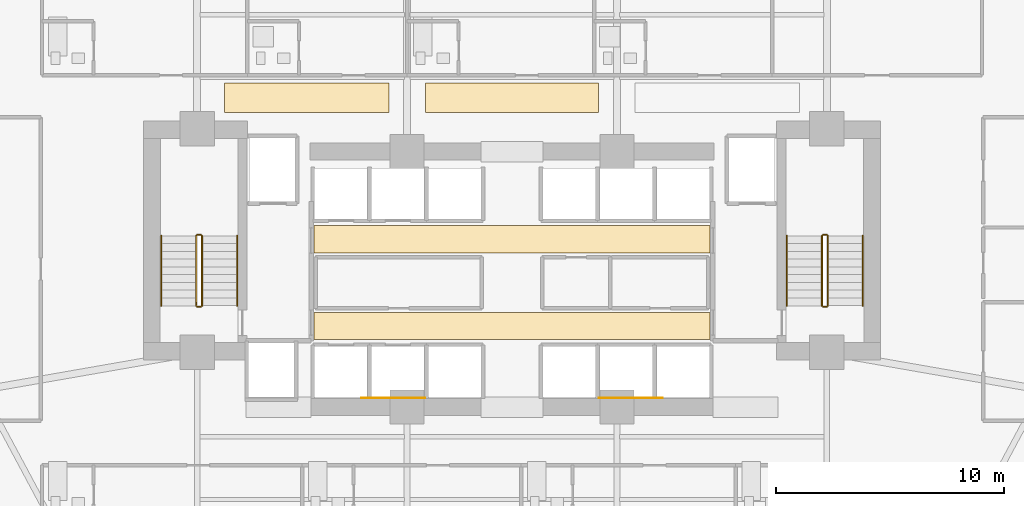
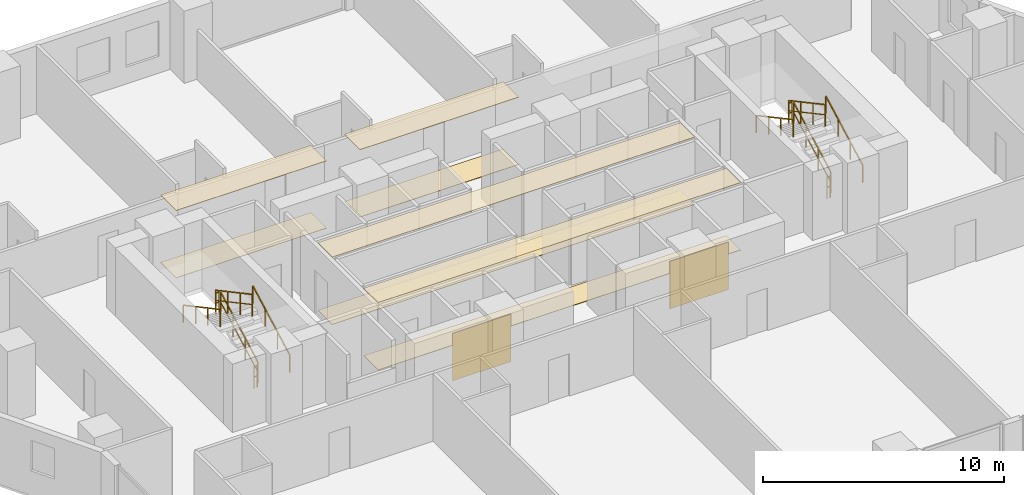
# One storey, part 26 of 28: 12 railings, 10 coverings.
"""IFC4 building model written with IfcOpenShell, lengths in metres."""

from ifc_helpers import new_model, si_unit, direction, frame, origin, origin_2d, place, context, subcontext, project, spatial, polyline, rectangle, outline, extrude, material, layer, layer_set, type_object, element, save


model = new_model("IFC4")

# Units and contexts
model_context = context("Model", 3, precision=1e-05, world=origin(), true_north=direction((0.0, 1.0)))
body_context = subcontext(model_context, "Body", "Model", "MODEL_VIEW")
ifc_project = project(units=[si_unit("LENGTHUNIT", "METRE"), si_unit("AREAUNIT", "SQUARE_METRE"), si_unit("VOLUMEUNIT", "CUBIC_METRE"), si_unit("PLANEANGLEUNIT", "RADIAN"), si_unit("MASSUNIT", "GRAM", prefix="KILO")], contexts=[model_context])

# Site, building, storey
site_placement = place(None, origin())
site = spatial("IfcSite", under=ifc_project, at=site_placement, CompositionType="ELEMENT")
building_placement = place(site_placement, origin())
building = spatial("IfcBuilding", under=site, at=building_placement, Name="Zuhayl Quay Hotel", CompositionType="ELEMENT")
storey_placement = place(building_placement, frame((0.0, 0.0, 121.199951171875)))
storey = spatial("IfcBuildingStorey", under=building, at=storey_placement, Name="L30", CompositionType="ELEMENT", Elevation=121.199951171875)

# Coverings
ifc_material_1 = material(Name="Acoustic Mineral-Fibre Gypsum Board")
ifc_layer_1 = layer(ifc_material_1, 0.02490234375, Name="Acoustic Mineral-Fibre Gypsum Board")
ifc_layer_set_1 = layer_set([ifc_layer_1], Name="Acoustic Mineral-Fibre Gypsum Board")
covering_type_1 = type_object("IfcCoveringType", Name="CV_CEIL_ACOUSTIC", PredefinedType="CEILING", material=ifc_layer_set_1)
covering_1_placement = place(storey_placement, frame((0.0, 0.0, 3.405029296875)))
element("IfcCovering", 1, at=covering_1_placement, inside=storey, type_object=covering_type_1, Name="L30 Suspended Acoustic Lobby Ceiling S", PredefinedType="CEILING", context=body_context, shape_type="SweptSolid", body=[
    extrude(outline(polyline([(-8.679931640625, 5.10009765625), (8.679931640625, 5.10009765625), (8.679931640625, 6.300048828125), (-8.679931640625, 6.300048828125), (-8.679931640625, 5.10009765625)])), origin(), (0.0, 0.0, 1.0), 0.02490234375),
])
covering_2_placement = place(storey_placement, frame((0.0, 0.0, 3.405029296875)))
element("IfcCovering", 2, at=covering_2_placement, inside=storey, type_object=covering_type_1, Name="L30 Suspended Acoustic Lobby Ceiling N", PredefinedType="CEILING", context=body_context, shape_type="SweptSolid", body=[
    extrude(outline(polyline([(-8.679931640625, 8.89990234375), (8.679931640625, 8.89990234375), (8.679931640625, 10.10009765625), (-8.679931640625, 10.10009765625), (-8.679931640625, 8.89990234375)])), origin(), (0.0, 0.0, 1.0), 0.02490234375),
])
covering_3_placement = place(storey_placement, frame((0.0, 0.0, 3.405029296875)))
element("IfcCovering", 3, at=covering_3_placement, inside=storey, type_object=covering_type_1, Name="L30 Guest Corridor Acoustic Ceiling CW", PredefinedType="CEILING", context=body_context, shape_type="SweptSolid", body=[
    extrude(outline(polyline([(-12.60009765625, 15.050048828125), (-5.39990234375, 15.050048828125), (-5.39990234375, 16.35009765625), (-12.60009765625, 16.35009765625), (-12.60009765625, 15.050048828125)])), origin(), (0.0, 0.0, 1.0), 0.02490234375),
])
covering_4_placement = place(storey_placement, frame((0.0, 0.0, 3.405029296875)))
element("IfcCovering", 4, at=covering_4_placement, inside=storey, type_object=covering_type_1, Name="L30 Guest Corridor Acoustic Ceiling CC", PredefinedType="CEILING", context=body_context, shape_type="SweptSolid", body=[
    extrude(outline(polyline([(-3.800048828125, 15.050048828125), (3.800048828125, 15.050048828125), (3.800048828125, 16.35009765625), (-3.800048828125, 16.35009765625), (-3.800048828125, 15.050048828125)])), origin(), (0.0, 0.0, 1.0), 0.02490234375),
])
ifc_material_2 = material(Name="Polished Limestone Terrazzo", Category="masonry")
ifc_layer_2 = layer(ifc_material_2, 0.02001953125, Name="Polished Limestone Terrazzo", Category="masonry")
ifc_layer_set_2 = layer_set([ifc_layer_2], Name="Polished Limestone Terrazzo")
covering_type_2 = type_object("IfcCoveringType", Name="CV_FLOOR_TERRAZZO", PredefinedType="FLOORING", material=ifc_layer_set_2)
covering_5_placement = place(storey_placement, origin())
element("IfcCovering", 5, at=covering_5_placement, inside=storey, type_object=covering_type_2, Name="L30 Honed Limestone Terrazzo Lobby Flooring S", PredefinedType="FLOORING", context=body_context, shape_type="SweptSolid", body=[
    extrude(outline(polyline([(-8.679931640625, 5.10009765625), (8.679931640625, 5.10009765625), (8.679931640625, 6.300048828125), (-8.679931640625, 6.300048828125), (-8.679931640625, 5.10009765625)])), origin(), (0.0, 0.0, 1.0), 0.02001953125),
])
covering_6_placement = place(storey_placement, origin())
element("IfcCovering", 6, at=covering_6_placement, inside=storey, type_object=covering_type_2, Name="L30 Honed Limestone Terrazzo Lobby Flooring N", PredefinedType="FLOORING", context=body_context, shape_type="SweptSolid", body=[
    extrude(outline(polyline([(-8.679931640625, 8.89990234375), (8.679931640625, 8.89990234375), (8.679931640625, 10.10009765625), (-8.679931640625, 10.10009765625), (-8.679931640625, 8.89990234375)])), origin(), (0.0, 0.0, 1.0), 0.02001953125),
])
covering_7_placement = place(storey_placement, origin())
element("IfcCovering", 7, at=covering_7_placement, inside=storey, type_object=covering_type_2, Name="L30 Guest Corridor Terrazzo Runner CW", PredefinedType="FLOORING", context=body_context, shape_type="SweptSolid", body=[
    extrude(outline(polyline([(-12.60009765625, 15.050048828125), (-5.39990234375, 15.050048828125), (-5.39990234375, 16.35009765625), (-12.60009765625, 16.35009765625), (-12.60009765625, 15.050048828125)])), origin(), (0.0, 0.0, 1.0), 0.02001953125),
])
covering_8_placement = place(storey_placement, origin())
element("IfcCovering", 8, at=covering_8_placement, inside=storey, type_object=covering_type_2, Name="L30 Guest Corridor Terrazzo Runner CC", PredefinedType="FLOORING", context=body_context, shape_type="SweptSolid", body=[
    extrude(outline(polyline([(-3.800048828125, 15.050048828125), (3.800048828125, 15.050048828125), (3.800048828125, 16.35009765625), (-3.800048828125, 16.35009765625), (-3.800048828125, 15.050048828125)])), origin(), (0.0, 0.0, 1.0), 0.02001953125),
])
ifc_material_3 = material(Name="Acoustic Walnut Feature Timber", Category="wood")
ifc_layer_3 = layer(ifc_material_3, 0.02197265625, Name="Acoustic Walnut Feature Timber", Category="wood")
ifc_layer_set_3 = layer_set([ifc_layer_3], Name="Acoustic Walnut Feature Timber")
covering_type_3 = type_object("IfcCoveringType", Name="CV_WALL_CLAD", PredefinedType="CLADDING", material=ifc_layer_set_3)
for number, where, z_axis, x_axis, name in (
    (9, (-5.199951171875, 2.535888671875, 0.300048828125), (0.0, 0.0, 1.0), (1.0, 0.0, 0.0), "L30 Feature Lobby Walnut Wall Cladding W"),
    (10, (5.199951171875, 2.535888671875, 0.300048828125), (0.0, 0.0, 1.0), (1.0, 0.0, 0.0), "L30 Feature Lobby Walnut Wall Cladding E"),
):
    element("IfcCovering", number, at=place(storey_placement, frame(where, z_axis=z_axis, x_axis=x_axis)), inside=storey, type_object=covering_type_3, Name=name, PredefinedType="CLADDING", context=body_context, shape_type="SweptSolid", body=[
        extrude(rectangle(XDim=2.800048828125, YDim=0.02197265625, at=origin_2d()), origin(), (0.0, 0.0, 1.0), 2.39990234375),
    ])

# Railings
ifc_material_4 = material(Name="Steel ASTM A992 Grade 50", Category="steel")
railing_type_1 = type_object("IfcRailingType", Name="RL_GUARD_1100", PredefinedType="GUARDRAIL", material=ifc_material_4)
railing_1_placement = place(storey_placement, frame((-13.590087890625, 6.590087890625, 0.1826171875)))
element("IfcRailing", 11, at=railing_1_placement, inside=storey, type_object=railing_type_1, Name="L30 ST1 stair guard 1", PredefinedType="GUARDRAIL", context=body_context, shape_type="SweptSolid", body=[
    extrude(rectangle(XDim=0.048095703125, YDim=0.048095703125, at=origin_2d()), frame((0.0, 0.0, 1.09619140625), z_axis=(0.0, 0.881102395774, 0.472925541879), x_axis=(-1.0, 0.0, 0.0)), (0.0, 0.0, 1.0), 3.47265625),
    extrude(rectangle(XDim=0.0361328125, YDim=0.0361328125, at=origin_2d()), frame((0.0, 0.0, 0.58251953125), z_axis=(0.0, 0.881102395774, 0.472925541879), x_axis=(-1.0, 0.0, 0.0)), (0.0, 0.0, 1.0), 3.47265625),
    extrude(rectangle(XDim=0.0419921875, YDim=0.0419921875, at=origin_2d()), origin(), (0.0, 0.0, 1.0), 1.072021484375),
    extrude(rectangle(XDim=0.0419921875, YDim=0.0419921875, at=origin_2d()), frame((0.0, 1.02001953125, 0.54736328125)), (0.0, 0.0, 1.0), 1.072021484375),
    extrude(rectangle(XDim=0.0419921875, YDim=0.0419921875, at=origin_2d()), frame((0.0, 2.039794921875, 1.094970703125)), (0.0, 0.0, 1.0), 1.072021484375),
    extrude(rectangle(XDim=0.0419921875, YDim=0.0419921875, at=origin_2d()), frame((0.0, 3.059814453125, 1.642333984375)), (0.0, 0.0, 1.0), 1.072021484375),
])
railing_2_placement = place(storey_placement, frame((-13.639892578125, 9.699951171875, 1.824951171875)))
element("IfcRailing", 12, at=railing_2_placement, inside=storey, type_object=railing_type_1, Name="L30 ST1 stair guard 2", PredefinedType="GUARDRAIL", context=body_context, shape_type="SweptSolid", body=[
    extrude(rectangle(XDim=0.048095703125, YDim=0.048095703125, at=origin_2d()), frame((0.0, 0.0, 1.09619140625), z_axis=(-1.0, 0.0, 0.0), x_axis=(0.0, -1.0, 0.0)), (0.0, 0.0, 1.0), 0.150146484375),
    extrude(rectangle(XDim=0.0361328125, YDim=0.0361328125, at=origin_2d()), frame((0.0, 0.0, 0.58251953125), z_axis=(-1.0, 0.0, 0.0), x_axis=(0.0, -1.0, 0.0)), (0.0, 0.0, 1.0), 0.150146484375),
    extrude(rectangle(XDim=0.0419921875, YDim=0.0419921875, at=origin_2d()), origin(), (0.0, 0.0, 1.0), 1.072021484375),
    extrude(rectangle(XDim=0.0419921875, YDim=0.0419921875, at=origin_2d()), frame((-0.150146484375, 0.0, 0.0)), (0.0, 0.0, 1.0), 1.072021484375),
])
railing_3_placement = place(storey_placement, frame((-13.840087890625, 9.64990234375, 2.007568359375)))
element("IfcRailing", 13, at=railing_3_placement, inside=storey, type_object=railing_type_1, Name="L30 ST1 stair guard 3", PredefinedType="GUARDRAIL", context=body_context, shape_type="SweptSolid", body=[
    extrude(rectangle(XDim=0.048095703125, YDim=0.048095703125, at=origin_2d()), frame((0.0, 0.0, 1.09619140625), z_axis=(0.0, -0.88107310026, 0.472980117973), x_axis=(1.0, 0.0, 0.0)), (0.0, 0.0, 1.0), 3.472900390625),
    extrude(rectangle(XDim=0.0361328125, YDim=0.0361328125, at=origin_2d()), frame((0.0, 0.0, 0.58251953125), z_axis=(0.0, -0.88107310026, 0.472980117973), x_axis=(1.0, 0.0, 0.0)), (0.0, 0.0, 1.0), 3.472900390625),
    extrude(rectangle(XDim=0.0419921875, YDim=0.0419921875, at=origin_2d()), origin(), (0.0, 0.0, 1.0), 1.072021484375),
    extrude(rectangle(XDim=0.0419921875, YDim=0.0419921875, at=origin_2d()), frame((0.0, -1.02001953125, 0.547607421875)), (0.0, 0.0, 1.0), 1.072021484375),
    extrude(rectangle(XDim=0.0419921875, YDim=0.0419921875, at=origin_2d()), frame((0.0, -2.039794921875, 1.094970703125)), (0.0, 0.0, 1.0), 1.072021484375),
    extrude(rectangle(XDim=0.0419921875, YDim=0.0419921875, at=origin_2d()), frame((0.0, -3.059814453125, 1.642578125)), (0.0, 0.0, 1.0), 1.072021484375),
])
railing_4_placement = place(storey_placement, frame((-13.639892578125, 6.5400390625, 0.0)))
element("IfcRailing", 14, at=railing_4_placement, inside=storey, type_object=railing_type_1, Name="L30 ST1 stair guard 4", PredefinedType="GUARDRAIL", context=body_context, shape_type="SweptSolid", body=[
    extrude(rectangle(XDim=0.048095703125, YDim=0.048095703125, at=origin_2d()), frame((0.0, 0.0, 1.09619140625), z_axis=(-1.0, 0.0, 0.0), x_axis=(0.0, -1.0, 0.0)), (0.0, 0.0, 1.0), 0.150146484375),
    extrude(rectangle(XDim=0.0361328125, YDim=0.0361328125, at=origin_2d()), frame((0.0, 0.0, 0.58251953125), z_axis=(-1.0, 0.0, 0.0), x_axis=(0.0, -1.0, 0.0)), (0.0, 0.0, 1.0), 0.150146484375),
    extrude(rectangle(XDim=0.0419921875, YDim=0.0419921875, at=origin_2d()), origin(), (0.0, 0.0, 1.0), 1.072021484375),
    extrude(rectangle(XDim=0.0419921875, YDim=0.0419921875, at=origin_2d()), frame((-0.150146484375, 0.0, 0.0)), (0.0, 0.0, 1.0), 1.072021484375),
])
railing_5_placement = place(storey_placement, frame((13.840087890625, 6.590087890625, 0.1826171875)))
element("IfcRailing", 15, at=railing_5_placement, inside=storey, type_object=railing_type_1, Name="L30 ST2 stair guard 1", PredefinedType="GUARDRAIL", context=body_context, shape_type="SweptSolid", body=[
    extrude(rectangle(XDim=0.048095703125, YDim=0.048095703125, at=origin_2d()), frame((0.0, 0.0, 1.09619140625), z_axis=(0.0, 0.881102395774, 0.472925541879), x_axis=(-1.0, 0.0, 0.0)), (0.0, 0.0, 1.0), 3.47265625),
    extrude(rectangle(XDim=0.0361328125, YDim=0.0361328125, at=origin_2d()), frame((0.0, 0.0, 0.58251953125), z_axis=(0.0, 0.881102395774, 0.472925541879), x_axis=(-1.0, 0.0, 0.0)), (0.0, 0.0, 1.0), 3.47265625),
    extrude(rectangle(XDim=0.0419921875, YDim=0.0419921875, at=origin_2d()), origin(), (0.0, 0.0, 1.0), 1.072021484375),
    extrude(rectangle(XDim=0.0419921875, YDim=0.0419921875, at=origin_2d()), frame((0.0, 1.02001953125, 0.54736328125)), (0.0, 0.0, 1.0), 1.072021484375),
    extrude(rectangle(XDim=0.0419921875, YDim=0.0419921875, at=origin_2d()), frame((0.0, 2.039794921875, 1.094970703125)), (0.0, 0.0, 1.0), 1.072021484375),
    extrude(rectangle(XDim=0.0419921875, YDim=0.0419921875, at=origin_2d()), frame((0.0, 3.059814453125, 1.642333984375)), (0.0, 0.0, 1.0), 1.072021484375),
])
railing_6_placement = place(storey_placement, frame((13.7900390625, 9.699951171875, 1.824951171875)))
element("IfcRailing", 16, at=railing_6_placement, inside=storey, type_object=railing_type_1, Name="L30 ST2 stair guard 2", PredefinedType="GUARDRAIL", context=body_context, shape_type="SweptSolid", body=[
    extrude(rectangle(XDim=0.048095703125, YDim=0.048095703125, at=origin_2d()), frame((0.0, 0.0, 1.09619140625), z_axis=(-1.0, 0.0, 0.0), x_axis=(0.0, -1.0, 0.0)), (0.0, 0.0, 1.0), 0.150146484375),
    extrude(rectangle(XDim=0.0361328125, YDim=0.0361328125, at=origin_2d()), frame((0.0, 0.0, 0.58251953125), z_axis=(-1.0, 0.0, 0.0), x_axis=(0.0, -1.0, 0.0)), (0.0, 0.0, 1.0), 0.150146484375),
    extrude(rectangle(XDim=0.0419921875, YDim=0.0419921875, at=origin_2d()), origin(), (0.0, 0.0, 1.0), 1.072021484375),
    extrude(rectangle(XDim=0.0419921875, YDim=0.0419921875, at=origin_2d()), frame((-0.150146484375, 0.0, 0.0)), (0.0, 0.0, 1.0), 1.072021484375),
])
railing_7_placement = place(storey_placement, frame((13.590087890625, 9.64990234375, 2.007568359375)))
element("IfcRailing", 17, at=railing_7_placement, inside=storey, type_object=railing_type_1, Name="L30 ST2 stair guard 3", PredefinedType="GUARDRAIL", context=body_context, shape_type="SweptSolid", body=[
    extrude(rectangle(XDim=0.048095703125, YDim=0.048095703125, at=origin_2d()), frame((0.0, 0.0, 1.09619140625), z_axis=(0.0, -0.88107310026, 0.472980117973), x_axis=(1.0, 0.0, 0.0)), (0.0, 0.0, 1.0), 3.472900390625),
    extrude(rectangle(XDim=0.0361328125, YDim=0.0361328125, at=origin_2d()), frame((0.0, 0.0, 0.58251953125), z_axis=(0.0, -0.88107310026, 0.472980117973), x_axis=(1.0, 0.0, 0.0)), (0.0, 0.0, 1.0), 3.472900390625),
    extrude(rectangle(XDim=0.0419921875, YDim=0.0419921875, at=origin_2d()), origin(), (0.0, 0.0, 1.0), 1.072021484375),
    extrude(rectangle(XDim=0.0419921875, YDim=0.0419921875, at=origin_2d()), frame((0.0, -1.02001953125, 0.547607421875)), (0.0, 0.0, 1.0), 1.072021484375),
    extrude(rectangle(XDim=0.0419921875, YDim=0.0419921875, at=origin_2d()), frame((0.0, -2.039794921875, 1.094970703125)), (0.0, 0.0, 1.0), 1.072021484375),
    extrude(rectangle(XDim=0.0419921875, YDim=0.0419921875, at=origin_2d()), frame((0.0, -3.059814453125, 1.642578125)), (0.0, 0.0, 1.0), 1.072021484375),
])
railing_8_placement = place(storey_placement, frame((13.7900390625, 6.5400390625, 0.0)))
element("IfcRailing", 18, at=railing_8_placement, inside=storey, type_object=railing_type_1, Name="L30 ST2 stair guard 4", PredefinedType="GUARDRAIL", context=body_context, shape_type="SweptSolid", body=[
    extrude(rectangle(XDim=0.048095703125, YDim=0.048095703125, at=origin_2d()), frame((0.0, 0.0, 1.09619140625), z_axis=(-1.0, 0.0, 0.0), x_axis=(0.0, -1.0, 0.0)), (0.0, 0.0, 1.0), 0.150146484375),
    extrude(rectangle(XDim=0.0361328125, YDim=0.0361328125, at=origin_2d()), frame((0.0, 0.0, 0.58251953125), z_axis=(-1.0, 0.0, 0.0), x_axis=(0.0, -1.0, 0.0)), (0.0, 0.0, 1.0), 0.150146484375),
    extrude(rectangle(XDim=0.0419921875, YDim=0.0419921875, at=origin_2d()), origin(), (0.0, 0.0, 1.0), 1.072021484375),
    extrude(rectangle(XDim=0.0419921875, YDim=0.0419921875, at=origin_2d()), frame((-0.150146484375, 0.0, 0.0)), (0.0, 0.0, 1.0), 1.072021484375),
])
railing_type_2 = type_object("IfcRailingType", Name="RL_HANDRAIL_920", PredefinedType="HANDRAIL", material=ifc_material_4)
railing_9_placement = place(storey_placement, frame((-12.050048828125, 6.590087890625, 0.1826171875)))
element("IfcRailing", 19, at=railing_9_placement, inside=storey, type_object=railing_type_2, Name="L30 ST1 stair handrail 1", PredefinedType="HANDRAIL", context=body_context, shape_type="SweptSolid", body=[
    extrude(rectangle(XDim=0.048095703125, YDim=0.048095703125, at=origin_2d()), frame((0.0, 0.0, 0.8759765625), z_axis=(0.0, 0.881102395774, 0.472925541879), x_axis=(-1.0, 0.0, 0.0)), (0.0, 0.0, 1.0), 3.47265625),
    extrude(rectangle(XDim=0.0419921875, YDim=0.0419921875, at=origin_2d()), origin(), (0.0, 0.0, 1.0), 0.851806640625),
    extrude(rectangle(XDim=0.0419921875, YDim=0.0419921875, at=origin_2d()), frame((0.0, 1.02001953125, 0.54736328125)), (0.0, 0.0, 1.0), 0.851806640625),
    extrude(rectangle(XDim=0.0419921875, YDim=0.0419921875, at=origin_2d()), frame((0.0, 2.039794921875, 1.094970703125)), (0.0, 0.0, 1.0), 0.851806640625),
    extrude(rectangle(XDim=0.0419921875, YDim=0.0419921875, at=origin_2d()), frame((0.0, 3.059814453125, 1.642333984375)), (0.0, 0.0, 1.0), 0.851806640625),
])
railing_10_placement = place(storey_placement, frame((-15.3798828125, 9.64990234375, 2.007568359375)))
element("IfcRailing", 20, at=railing_10_placement, inside=storey, type_object=railing_type_2, Name="L30 ST1 stair handrail 2", PredefinedType="HANDRAIL", context=body_context, shape_type="SweptSolid", body=[
    extrude(rectangle(XDim=0.048095703125, YDim=0.048095703125, at=origin_2d()), frame((0.0, 0.0, 0.8759765625), z_axis=(0.0, -0.88107310026, 0.472980117973), x_axis=(1.0, 0.0, 0.0)), (0.0, 0.0, 1.0), 3.472900390625),
    extrude(rectangle(XDim=0.0419921875, YDim=0.0419921875, at=origin_2d()), origin(), (0.0, 0.0, 1.0), 0.851806640625),
    extrude(rectangle(XDim=0.0419921875, YDim=0.0419921875, at=origin_2d()), frame((0.0, -1.02001953125, 0.547607421875)), (0.0, 0.0, 1.0), 0.851806640625),
    extrude(rectangle(XDim=0.0419921875, YDim=0.0419921875, at=origin_2d()), frame((0.0, -2.039794921875, 1.094970703125)), (0.0, 0.0, 1.0), 0.851806640625),
    extrude(rectangle(XDim=0.0419921875, YDim=0.0419921875, at=origin_2d()), frame((0.0, -3.059814453125, 1.642578125)), (0.0, 0.0, 1.0), 0.851806640625),
])
railing_11_placement = place(storey_placement, frame((15.3798828125, 6.590087890625, 0.1826171875)))
element("IfcRailing", 21, at=railing_11_placement, inside=storey, type_object=railing_type_2, Name="L30 ST2 stair handrail 1", PredefinedType="HANDRAIL", context=body_context, shape_type="SweptSolid", body=[
    extrude(rectangle(XDim=0.048095703125, YDim=0.048095703125, at=origin_2d()), frame((0.0, 0.0, 0.8759765625), z_axis=(0.0, 0.881102395774, 0.472925541879), x_axis=(-1.0, 0.0, 0.0)), (0.0, 0.0, 1.0), 3.47265625),
    extrude(rectangle(XDim=0.0419921875, YDim=0.0419921875, at=origin_2d()), origin(), (0.0, 0.0, 1.0), 0.851806640625),
    extrude(rectangle(XDim=0.0419921875, YDim=0.0419921875, at=origin_2d()), frame((0.0, 1.02001953125, 0.54736328125)), (0.0, 0.0, 1.0), 0.851806640625),
    extrude(rectangle(XDim=0.0419921875, YDim=0.0419921875, at=origin_2d()), frame((0.0, 2.039794921875, 1.094970703125)), (0.0, 0.0, 1.0), 0.851806640625),
    extrude(rectangle(XDim=0.0419921875, YDim=0.0419921875, at=origin_2d()), frame((0.0, 3.059814453125, 1.642333984375)), (0.0, 0.0, 1.0), 0.851806640625),
])
railing_12_placement = place(storey_placement, frame((12.050048828125, 9.64990234375, 2.007568359375)))
element("IfcRailing", 22, at=railing_12_placement, inside=storey, type_object=railing_type_2, Name="L30 ST2 stair handrail 2", PredefinedType="HANDRAIL", context=body_context, shape_type="SweptSolid", body=[
    extrude(rectangle(XDim=0.048095703125, YDim=0.048095703125, at=origin_2d()), frame((0.0, 0.0, 0.8759765625), z_axis=(0.0, -0.88107310026, 0.472980117973), x_axis=(1.0, 0.0, 0.0)), (0.0, 0.0, 1.0), 3.472900390625),
    extrude(rectangle(XDim=0.0419921875, YDim=0.0419921875, at=origin_2d()), origin(), (0.0, 0.0, 1.0), 0.851806640625),
    extrude(rectangle(XDim=0.0419921875, YDim=0.0419921875, at=origin_2d()), frame((0.0, -1.02001953125, 0.547607421875)), (0.0, 0.0, 1.0), 0.851806640625),
    extrude(rectangle(XDim=0.0419921875, YDim=0.0419921875, at=origin_2d()), frame((0.0, -2.039794921875, 1.094970703125)), (0.0, 0.0, 1.0), 0.851806640625),
    extrude(rectangle(XDim=0.0419921875, YDim=0.0419921875, at=origin_2d()), frame((0.0, -3.059814453125, 1.642578125)), (0.0, 0.0, 1.0), 0.851806640625),
])

save(model, "model.ifc")
